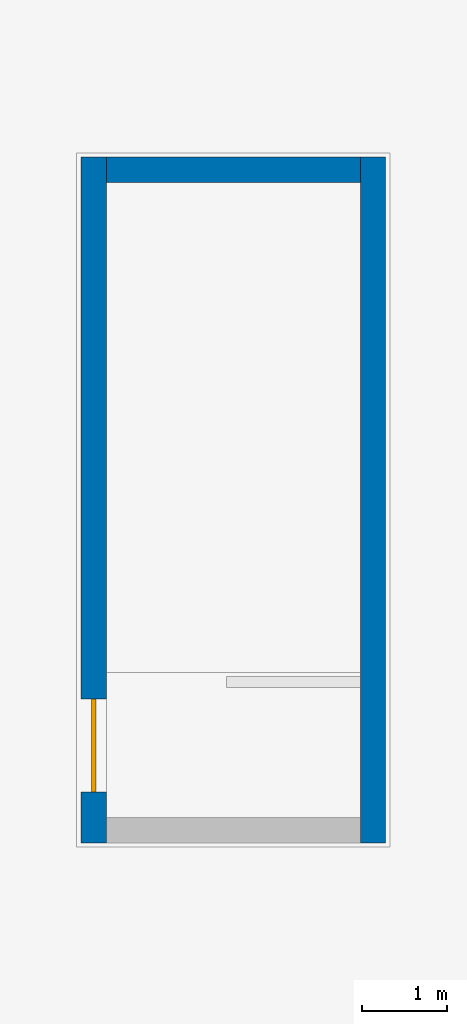
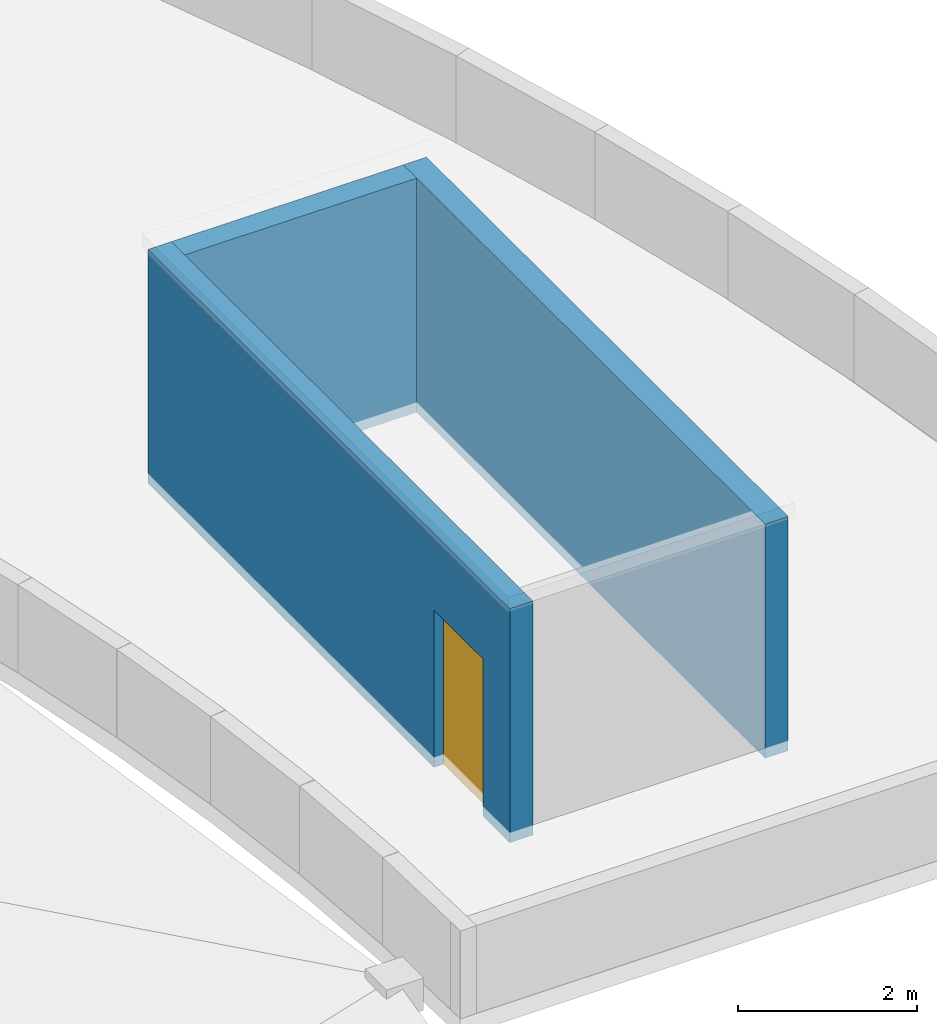
# One storey, part 31 of 50: 3 walls, 1 door, 1 opening.
"""IFC4 building model written with IfcOpenShell, lengths in metres."""

from ifc_helpers import new_model, si_unit, direction, frame, frame_2d, origin, place, context, subcontext, project, spatial, rectangle, extrude, material, layer, layer_set, type_object, element, fill, save


model = new_model("IFC4")

# Units and contexts
model_context = context("Model", 3, precision=1e-05, world=origin(), true_north=direction((0.0, 1.0)))
body_context = subcontext(model_context, "Body", "Model", "MODEL_VIEW")
ifc_project = project(units=[si_unit("LENGTHUNIT", "METRE"), si_unit("AREAUNIT", "SQUARE_METRE"), si_unit("VOLUMEUNIT", "CUBIC_METRE"), si_unit("PLANEANGLEUNIT", "RADIAN"), si_unit("MASSUNIT", "GRAM", prefix="KILO")], contexts=[model_context])

# Site, building, storey
site_placement = place(None, origin())
site = spatial("IfcSite", under=ifc_project, at=site_placement, CompositionType="ELEMENT")
building_placement = place(site_placement, origin())
building = spatial("IfcBuilding", under=site, at=building_placement, Name="Almandine Court Research Institute", CompositionType="ELEMENT")
storey_placement = place(building_placement, frame((0.0, 0.0, 23.449951171875)))
storey = spatial("IfcBuildingStorey", under=building, at=storey_placement, Name="L05", CompositionType="ELEMENT", Elevation=23.449951171875)

# Wall, opening, door
ifc_material_1 = material(Name="Concrete C40/50", Category="concrete")
ifc_layer = layer(ifc_material_1, 0.300048828125)
ifc_layer_set = layer_set([ifc_layer], Name="Concrete C40/50")
wall_type = type_object("IfcWallType", Name="Wall-SW-CORE-300-E", PredefinedType="SHEAR", material=ifc_layer_set)
wall_1_placement = place(storey_placement, frame((127.85009765625, 58.699951171875, 0.0), z_axis=(0.0, 0.0, 1.0), x_axis=(0.0, 1.0, 0.0)))
wall_1 = element("IfcWall", 1, at=wall_1_placement, inside=storey, type_object=wall_type, Name="L05 ST-14 Penthouse W Shear Wall", PredefinedType="SHEAR", context=body_context, shape_type="SweptSolid", body=[
    extrude(rectangle(XDim=8.10009765625, YDim=0.300048828125, at=frame_2d((4.050048828125, 0.0))), origin(), (0.0, 0.0, 1.0), 3.199951171875),
])
opening_placement = place(wall_1_placement, frame((0.60009765625, 0.0, 0.0)))
opening = element("IfcOpeningElement", 2, at=opening_placement, cuts=wall_1, Name="Opening EX-04", PredefinedType="OPENING", context=body_context, shape_type="SweptSolid", body=[
    extrude(rectangle(XDim=1.10009765625, YDim=2.14990234375, at=frame_2d((0.550048828125, 1.074951171875))), frame((0.0, 0.159912109375, 0.0), z_axis=(0.0, -1.0, 0.0), x_axis=(1.0, 0.0, 0.0)), (0.0, 0.0, 1.0), 0.320068359375),
])
ifc_material_2 = material(Name="Painted Steel Exterior Personnel Exit Door", Category="steel")
door_type = type_object("IfcDoorType", Name="Door-EX-1100", OperationType="NOTDEFINED", PredefinedType="DOOR", material=ifc_material_2)
door_placement = place(opening_placement, origin())
door = element("IfcDoor", 3, at=door_placement, inside=storey, type_object=door_type, Name="L05 Exit Stair ST-14 Fire Door", OperationType="SINGLE_SWING_LEFT", OverallHeight=2.14990234375, OverallWidth=1.10009765625, PredefinedType="DOOR", context=body_context, shape_type="SweptSolid", body=[
    extrude(rectangle(XDim=1.10009765625, YDim=2.14990234375, at=frame_2d((0.550048828125, 1.074951171875))), frame((0.0, 0.02490234375, 0.0), z_axis=(0.0, -1.0, 0.0), x_axis=(1.0, 0.0, 0.0)), (0.0, 0.0, 1.0), 0.050048828125),
])
fill(opening, door)

# Walls
wall_2_placement = place(storey_placement, frame((128.0, 66.64990234375, 0.0), z_axis=(0.0, 0.0, 1.0), x_axis=(1.0, 0.0, 0.0)))
element("IfcWall", 4, at=wall_2_placement, inside=storey, type_object=wall_type, Name="L05 ST-14 Penthouse N Shear Wall", PredefinedType="SHEAR", context=body_context, shape_type="SweptSolid", body=[
    extrude(rectangle(XDim=3.0, YDim=0.300048828125, at=frame_2d((1.5, 0.0))), origin(), (0.0, 0.0, 1.0), 3.199951171875),
])
wall_3_placement = place(storey_placement, frame((131.14990234375, 66.800048828125, 0.0), z_axis=(0.0, 0.0, 1.0), x_axis=(0.0, -1.0, 0.0)))
element("IfcWall", 5, at=wall_3_placement, inside=storey, type_object=wall_type, Name="L05 ST-14 Penthouse E Shear Wall", PredefinedType="SHEAR", context=body_context, shape_type="SweptSolid", body=[
    extrude(rectangle(XDim=8.10009765625, YDim=0.300048828125, at=frame_2d((4.050048828125, 0.0))), origin(), (0.0, 0.0, 1.0), 3.199951171875),
])

save(model, "model.ifc")
